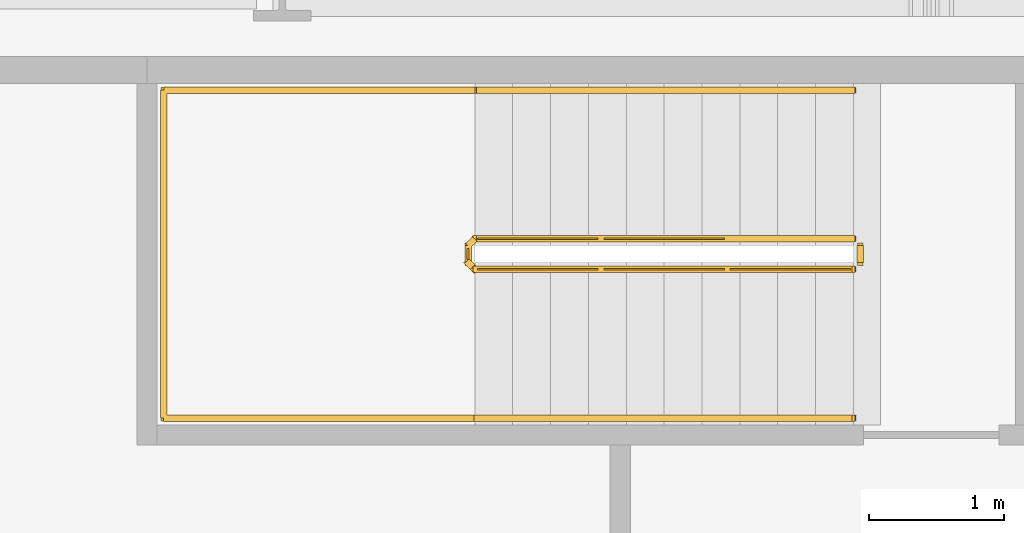
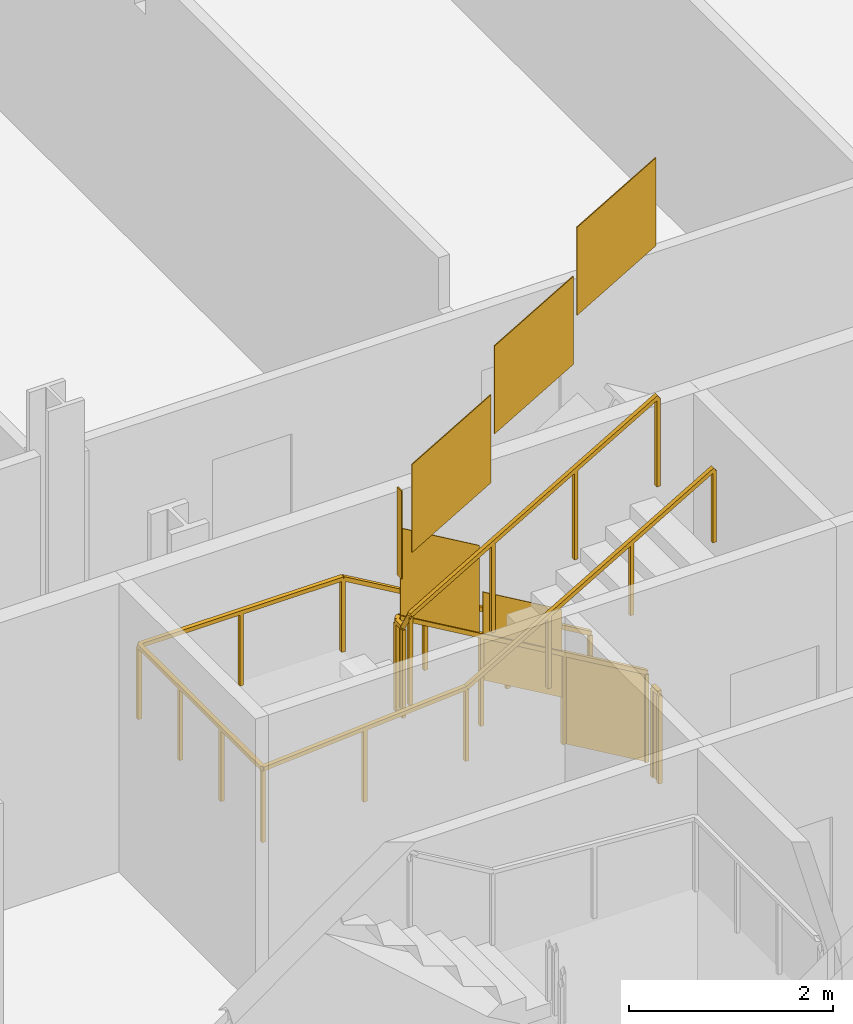
# One storey, part 19 of 22: 3 railings.
"""IFC4 building model written with IfcOpenShell, lengths in metres."""

from ifc_helpers import new_model, si_unit, direction, frame, origin, origin_2d, place, context, subcontext, project, spatial, polyline, rectangle, outline, extrude, material, type_object, element, save


model = new_model("IFC4")

# Units and contexts
model_context = context("Model", 3, precision=1e-05, world=origin(), true_north=direction((0.0, 1.0)))
body_context = subcontext(model_context, "Body", "Model", "MODEL_VIEW")
ifc_project = project(units=[si_unit("LENGTHUNIT", "METRE"), si_unit("AREAUNIT", "SQUARE_METRE"), si_unit("VOLUMEUNIT", "CUBIC_METRE"), si_unit("PLANEANGLEUNIT", "RADIAN"), si_unit("MASSUNIT", "GRAM", prefix="KILO")], contexts=[model_context])

# Site, building, storey
site_placement = place(None, origin())
site = spatial("IfcSite", under=ifc_project, at=site_placement, CompositionType="ELEMENT")
building_placement = place(site_placement, origin())
building = spatial("IfcBuilding", under=site, at=building_placement, Name="Cairn Pilgrim Tower", CompositionType="ELEMENT")
storey_placement = place(building_placement, frame((0.0, 0.0, 112.199951171875)))
storey = spatial("IfcBuildingStorey", under=building, at=storey_placement, Name="L27", CompositionType="ELEMENT", Elevation=112.199951171875)

# Railings
ifc_material = material(Name="Painted steel", Category="steel")
railing_type_1 = type_object("IfcRailingType", Name="STAIR GUARD 1100", PredefinedType="GUARDRAIL", material=ifc_material)
railing_1_placement = place(storey_placement, frame((11.425048828125, 8.949951171875, 0.16357421875)))
element("IfcRailing", 1, at=railing_1_placement, inside=storey, type_object=railing_type_1, Name="L27 ST-C stair guard 1", PredefinedType="GUARDRAIL", context=body_context, shape_type="SweptSolid", body=[
    extrude(rectangle(XDim=0.048095703125, YDim=0.048095703125, at=origin_2d()), frame((0.0, 0.0, 1.076171875), z_axis=(-0.863360870873, 0.0, 0.504586966384), x_axis=(0.0, -1.0, 0.0)), (0.0, 0.0, 1.0), 3.2431640625),
    extrude(rectangle(XDim=0.048095703125, YDim=0.048095703125, at=origin_2d()), frame((-2.800048828125, 0.0, 2.71240234375), z_axis=(-0.707106781187, -0.707106781187, 0.0), x_axis=(0.707106781187, -0.707106781187, 0.0)), (0.0, 0.0, 1.0), 0.07080078125),
    extrude(rectangle(XDim=0.048095703125, YDim=0.048095703125, at=origin_2d()), frame((-2.85009765625, -0.050048828125, 2.71240234375), z_axis=(0.0, -1.0, 0.0), x_axis=(1.0, 0.0, 0.0)), (0.0, 0.0, 1.0), 0.125),
    extrude(rectangle(XDim=0.048095703125, YDim=0.048095703125, at=origin_2d()), frame((-2.85009765625, -0.175048828125, 2.71240234375), z_axis=(0.280916556609, -0.279546231943, 0.91811752648), x_axis=(0.705375805398, 0.708833529934, 0.0)), (0.0, 0.0, 1.0), 0.17822265625),
    extrude(rectangle(XDim=0.048095703125, YDim=0.048095703125, at=origin_2d()), frame((-2.800048828125, -0.224853515625, 2.8759765625), z_axis=(0.863360870873, 0.0, 0.504586966384), x_axis=(0.0, 1.0, 0.0)), (0.0, 0.0, 1.0), 3.2431640625),
    extrude(rectangle(XDim=0.0419921875, YDim=0.0419921875, at=origin_2d()), origin(), (0.0, 0.0, 1.0), 1.052001953125),
    extrude(rectangle(XDim=0.0419921875, YDim=0.0419921875, at=origin_2d()), frame((-0.933349609375, 0.0, 0.54541015625)), (0.0, 0.0, 1.0), 1.052001953125),
    extrude(rectangle(XDim=0.0419921875, YDim=0.0419921875, at=origin_2d()), frame((-1.86669921875, 0.0, 1.091064453125)), (0.0, 0.0, 1.0), 1.052001953125),
    extrude(rectangle(XDim=0.0419921875, YDim=0.0419921875, at=origin_2d()), frame((-2.800048828125, 0.0, 1.636474609375)), (0.0, 0.0, 1.0), 1.052001953125),
    extrude(rectangle(XDim=0.0419921875, YDim=0.0419921875, at=origin_2d()), frame((-2.85009765625, -0.050048828125, 1.636474609375)), (0.0, 0.0, 1.0), 1.052001953125),
    extrude(rectangle(XDim=0.0419921875, YDim=0.0419921875, at=origin_2d()), frame((-2.85009765625, -0.175048828125, 1.636474609375)), (0.0, 0.0, 1.0), 1.052001953125),
    extrude(rectangle(XDim=0.0419921875, YDim=0.0419921875, at=origin_2d()), frame((-2.800048828125, -0.224853515625, 1.800048828125)), (0.0, 0.0, 1.0), 1.052001953125),
    extrude(rectangle(XDim=0.0419921875, YDim=0.0419921875, at=origin_2d()), frame((-1.86669921875, -0.224853515625, 2.345458984375)), (0.0, 0.0, 1.0), 1.052001953125),
    extrude(rectangle(XDim=0.0419921875, YDim=0.0419921875, at=origin_2d()), frame((-0.933349609375, -0.224853515625, 2.89111328125)), (0.0, 0.0, 1.0), 1.052001953125),
    extrude(rectangle(XDim=0.0419921875, YDim=0.0419921875, at=origin_2d()), frame((0.0, -0.224853515625, 3.4365234375)), (0.0, 0.0, 1.0), 1.052001953125),
    extrude(outline(polyline([(0.02099609375, 0.01220703125), (0.912353515625, 0.533203125), (0.912353515625, 1.585205078125), (0.02099609375, 1.064208984375), (0.02099609375, 0.01220703125)])), frame((0.0, -0.005859375, 0.0), z_axis=(0.0, 1.0, 0.0), x_axis=(-1.0, 0.0, 0.0)), (0.0, 0.0, 1.0), 0.011962890625),
    extrude(outline(polyline([(0.02099609375, 0.557861328125), (0.912353515625, 1.07861328125), (0.912353515625, 2.130615234375), (0.02099609375, 1.60986328125), (0.02099609375, 0.557861328125)])), frame((-0.933349609375, -0.005859375, 0.54541015625), z_axis=(0.0, 1.0, 0.0), x_axis=(-1.0, 0.0, 0.0)), (0.0, 0.0, 1.0), 0.011962890625),
    extrude(outline(polyline([(0.02099609375, 1.103271484375), (0.912353515625, 1.624267578125), (0.912353515625, 2.67626953125), (0.02099609375, 2.1552734375), (0.02099609375, 1.103271484375)])), frame((-1.86669921875, -0.005859375, 1.091064453125), z_axis=(0.0, 1.0, 0.0), x_axis=(-1.0, 0.0, 0.0)), (0.0, 0.0, 1.0), 0.011962890625),
    extrude(outline(polyline([(0.02099609375, 1.636474609375), (0.10400390625, 1.636474609375), (0.10400390625, 2.6884765625), (0.02099609375, 2.6884765625), (0.02099609375, 1.636474609375)])), frame((-2.84423828125, -0.050048828125, 1.636474609375), z_axis=(-1.0, 0.0, 0.0), x_axis=(0.0, -1.0, 0.0)), (0.0, 0.0, 1.0), 0.011962890625),
    extrude(outline(polyline([(0.02099609375, 1.812255859375), (0.912353515625, 2.333251953125), (0.912353515625, 3.38525390625), (0.02099609375, 2.8642578125), (0.02099609375, 1.812255859375)])), frame((-2.800048828125, -0.21875, 1.800048828125), z_axis=(0.0, -1.0, 0.0), x_axis=(1.0, 0.0, 0.0)), (0.0, 0.0, 1.0), 0.011962890625),
    extrude(outline(polyline([(0.02099609375, 2.35791015625), (0.912353515625, 2.878662109375), (0.912353515625, 3.9306640625), (0.02099609375, 3.409912109375), (0.02099609375, 2.35791015625)])), frame((-1.86669921875, -0.21875, 2.345458984375), z_axis=(0.0, -1.0, 0.0), x_axis=(1.0, 0.0, 0.0)), (0.0, 0.0, 1.0), 0.011962890625),
    extrude(outline(polyline([(0.02099609375, 2.9033203125), (0.912353515625, 3.42431640625), (0.912353515625, 4.476318359375), (0.02099609375, 3.955322265625), (0.02099609375, 2.9033203125)])), frame((-0.933349609375, -0.21875, 2.89111328125), z_axis=(0.0, -1.0, 0.0), x_axis=(1.0, 0.0, 0.0)), (0.0, 0.0, 1.0), 0.011962890625),
])
railing_2_placement = place(storey_placement, frame((11.47509765625, 8.89990234375, 0.0)))
element("IfcRailing", 2, at=railing_2_placement, inside=storey, type_object=railing_type_1, Name="L27 ST-C stair guard 2", PredefinedType="GUARDRAIL", context=body_context, shape_type="SweptSolid", body=[
    extrude(rectangle(XDim=0.048095703125, YDim=0.048095703125, at=origin_2d()), frame((0.0, 0.0, 1.076171875), z_axis=(0.0, -1.0, 0.0), x_axis=(1.0, 0.0, 0.0)), (0.0, 0.0, 1.0), 0.125),
    extrude(rectangle(XDim=0.0419921875, YDim=0.0419921875, at=origin_2d()), origin(), (0.0, 0.0, 1.0), 1.052001953125),
    extrude(rectangle(XDim=0.0419921875, YDim=0.0419921875, at=origin_2d()), frame((0.0, -0.125, 0.0)), (0.0, 0.0, 1.0), 1.052001953125),
    extrude(outline(polyline([(0.02099609375, 0.0), (0.10400390625, 0.0), (0.10400390625, 1.052001953125), (0.02099609375, 1.052001953125), (0.02099609375, 0.0)])), frame((0.005859375, 0.0, 0.0), z_axis=(-1.0, 0.0, 0.0), x_axis=(0.0, -1.0, 0.0)), (0.0, 0.0, 1.0), 0.011962890625),
])
railing_type_2 = type_object("IfcRailingType", Name="STAIR HANDRAIL 900", PredefinedType="HANDRAIL", material=ifc_material)
railing_3_placement = place(storey_placement, frame((11.425048828125, 10.050048828125, 0.16357421875)))
element("IfcRailing", 3, at=railing_3_placement, inside=storey, type_object=railing_type_2, Name="L27 ST-C stair handrail 1", PredefinedType="HANDRAIL", context=body_context, shape_type="SweptSolid", body=[
    extrude(rectangle(XDim=0.048095703125, YDim=0.048095703125, at=origin_2d()), frame((0.0, 0.0, 0.8759765625), z_axis=(-0.863360870873, 0.0, 0.504586966384), x_axis=(0.0, -1.0, 0.0)), (0.0, 0.0, 1.0), 3.2431640625),
    extrude(rectangle(XDim=0.048095703125, YDim=0.048095703125, at=origin_2d()), frame((-2.800048828125, 0.0, 2.51220703125), z_axis=(-1.0, 0.0, 0.0), x_axis=(0.0, -1.0, 0.0)), (0.0, 0.0, 1.0), 2.300048828125),
    extrude(rectangle(XDim=0.048095703125, YDim=0.048095703125, at=origin_2d()), frame((-5.10009765625, 0.0, 2.51220703125), z_axis=(0.0, -1.0, 0.0), x_axis=(1.0, 0.0, 0.0)), (0.0, 0.0, 1.0), 2.425048828125),
    extrude(rectangle(XDim=0.048095703125, YDim=0.048095703125, at=origin_2d()), frame((-5.10009765625, -2.425048828125, 2.51220703125), z_axis=(0.997480687736, 0.0, 0.070938548008), x_axis=(0.0, 1.0, 0.0)), (0.0, 0.0, 1.0), 2.305908203125),
    extrude(rectangle(XDim=0.048095703125, YDim=0.048095703125, at=origin_2d()), frame((-2.800048828125, -2.425048828125, 2.67578125), z_axis=(0.863360870873, 0.0, 0.504586966384), x_axis=(0.0, 1.0, 0.0)), (0.0, 0.0, 1.0), 3.2431640625),
    extrude(rectangle(XDim=0.0419921875, YDim=0.0419921875, at=origin_2d()), origin(), (0.0, 0.0, 1.0), 0.851806640625),
    extrude(rectangle(XDim=0.0419921875, YDim=0.0419921875, at=origin_2d()), frame((-0.933349609375, 0.0, 0.54541015625)), (0.0, 0.0, 1.0), 0.851806640625),
    extrude(rectangle(XDim=0.0419921875, YDim=0.0419921875, at=origin_2d()), frame((-1.86669921875, 0.0, 1.091064453125)), (0.0, 0.0, 1.0), 0.851806640625),
    extrude(rectangle(XDim=0.0419921875, YDim=0.0419921875, at=origin_2d()), frame((-2.800048828125, 0.0, 1.636474609375)), (0.0, 0.0, 1.0), 0.851806640625),
    extrude(rectangle(XDim=0.0419921875, YDim=0.0419921875, at=origin_2d()), frame((-3.9501953125, 0.0, 1.636474609375)), (0.0, 0.0, 1.0), 0.851806640625),
    extrude(rectangle(XDim=0.0419921875, YDim=0.0419921875, at=origin_2d()), frame((-5.10009765625, 0.0, 1.636474609375)), (0.0, 0.0, 1.0), 0.851806640625),
    extrude(rectangle(XDim=0.0419921875, YDim=0.0419921875, at=origin_2d()), frame((-5.10009765625, -0.808349609375, 1.636474609375)), (0.0, 0.0, 1.0), 0.851806640625),
    extrude(rectangle(XDim=0.0419921875, YDim=0.0419921875, at=origin_2d()), frame((-5.10009765625, -1.61669921875, 1.636474609375)), (0.0, 0.0, 1.0), 0.851806640625),
    extrude(rectangle(XDim=0.0419921875, YDim=0.0419921875, at=origin_2d()), frame((-5.10009765625, -2.425048828125, 1.636474609375)), (0.0, 0.0, 1.0), 0.851806640625),
    extrude(rectangle(XDim=0.0419921875, YDim=0.0419921875, at=origin_2d()), frame((-3.9501953125, -2.425048828125, 1.71826171875)), (0.0, 0.0, 1.0), 0.851806640625),
    extrude(rectangle(XDim=0.0419921875, YDim=0.0419921875, at=origin_2d()), frame((-2.800048828125, -2.425048828125, 1.800048828125)), (0.0, 0.0, 1.0), 0.851806640625),
    extrude(rectangle(XDim=0.0419921875, YDim=0.0419921875, at=origin_2d()), frame((-1.86669921875, -2.425048828125, 2.345458984375)), (0.0, 0.0, 1.0), 0.851806640625),
    extrude(rectangle(XDim=0.0419921875, YDim=0.0419921875, at=origin_2d()), frame((-0.933349609375, -2.425048828125, 2.89111328125)), (0.0, 0.0, 1.0), 0.851806640625),
    extrude(rectangle(XDim=0.0419921875, YDim=0.0419921875, at=origin_2d()), frame((0.0, -2.425048828125, 3.4365234375)), (0.0, 0.0, 1.0), 0.851806640625),
])

save(model, "model.ifc")
